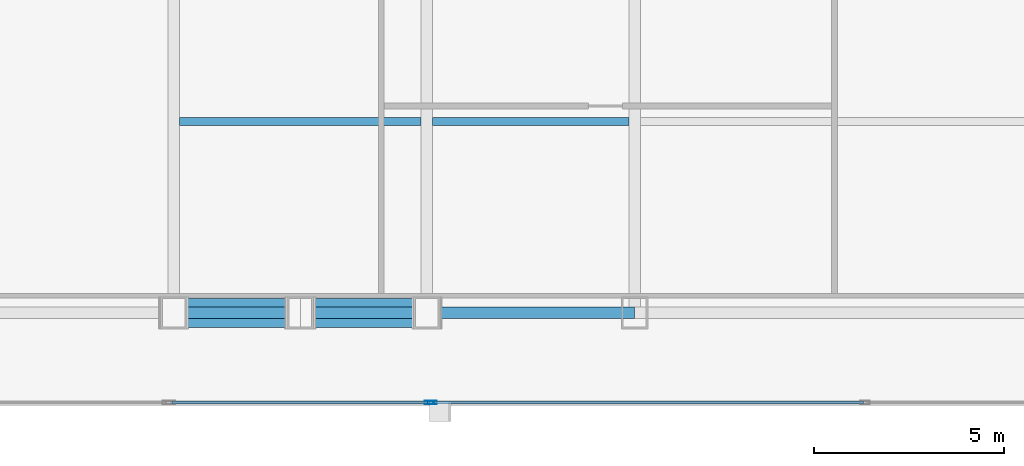
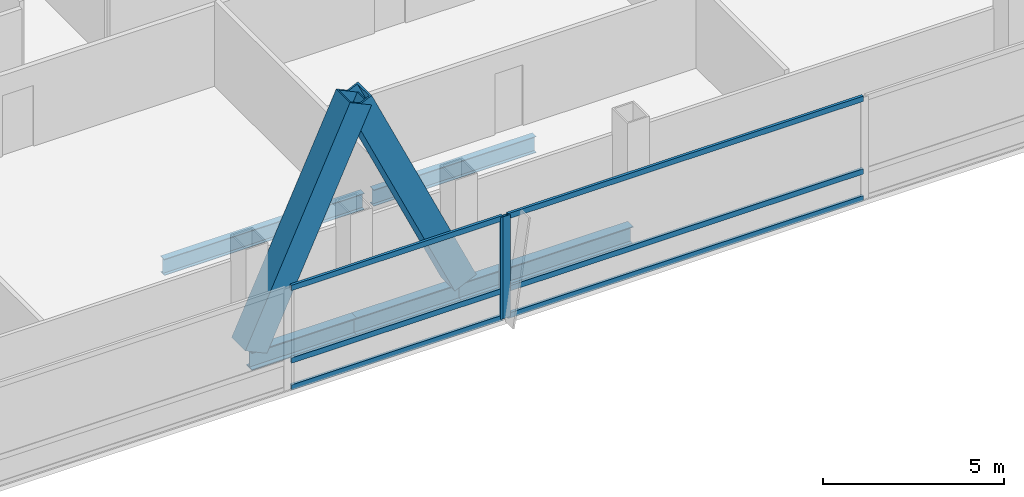
# One storey, part 8 of 31: 10 members, 5 beams, 2 elements without a shape of their own.
"""IFC4 building model written with IfcOpenShell, lengths in metres."""

from ifc_helpers import new_model, si_unit, direction, frame, origin, origin_2d, place, context, subcontext, project, spatial, hollow_rectangle, i_section, extrude, material, material_profile, profile_set, type_object, element, aggregate, save


model = new_model("IFC4")

# Units and contexts
model_context = context("Model", 3, precision=1e-05, world=origin(), true_north=direction((0.0, 1.0)))
body_context = subcontext(model_context, "Body", "Model", "MODEL_VIEW")
ifc_project = project(units=[si_unit("LENGTHUNIT", "METRE"), si_unit("AREAUNIT", "SQUARE_METRE"), si_unit("VOLUMEUNIT", "CUBIC_METRE"), si_unit("PLANEANGLEUNIT", "RADIAN"), si_unit("MASSUNIT", "GRAM", prefix="KILO")], contexts=[model_context])

# Site, building, storey
site_placement = place(None, origin())
site = spatial("IfcSite", under=ifc_project, at=site_placement, CompositionType="ELEMENT")
building_placement = place(site_placement, origin())
building = spatial("IfcBuilding", under=site, at=building_placement, Name="Khoronbel Lancet Exchange", CompositionType="ELEMENT")
storey_placement = place(building_placement, frame((0.0, 0.0, 129.0)))
storey = spatial("IfcBuildingStorey", under=building, at=storey_placement, Name="L31", CompositionType="ELEMENT", Elevation=129.0)

# Beams
ifc_material_1 = material(Name="Steel S355", Category="steel")
ifc_material_profile_1 = material_profile(ifc_material_1, i_section(OverallWidth=0.2099609375, OverallDepth=0.550048828125, WebThickness=0.010986328125, FlangeThickness=0.01708984375, at=origin_2d()), Name="IPE 550")
ifc_profile_set_1 = profile_set([ifc_material_profile_1], Name="Steel S355")
beam_type_1 = type_object("IfcBeamType", Name="BM-BJ2", PredefinedType="JOIST", material=ifc_profile_set_1)
beam_1_placement = place(storey_placement, frame((18.375, 15.199951171875, -0.43505859375), z_axis=(1.0, 0.0, 0.0), x_axis=(0.0, 1.0, 0.0)))
element("IfcBeam", 1, at=beam_1_placement, inside=storey, type_object=beam_type_1, Name="Level L31 secondary composite joist J01", PredefinedType="JOIST", context=body_context, shape_type="SweptSolid", body=[
    extrude(i_section(OverallWidth=0.2099609375, OverallDepth=0.550048828125, WebThickness=0.010986328125, FlangeThickness=0.01708984375, at=origin_2d()), origin(), (0.0, 0.0, 1.0), 6.375),
])
beam_2_placement = place(storey_placement, frame((25.050048828125, 15.199951171875, -0.43505859375), z_axis=(1.0, 0.0, 0.0), x_axis=(0.0, 1.0, 0.0)))
element("IfcBeam", 2, at=beam_2_placement, inside=storey, type_object=beam_type_1, Name="Level L31 secondary composite joist J02", PredefinedType="JOIST", context=body_context, shape_type="SweptSolid", body=[
    extrude(i_section(OverallWidth=0.2099609375, OverallDepth=0.550048828125, WebThickness=0.010986328125, FlangeThickness=0.01708984375, at=origin_2d()), origin(), (0.0, 0.0, 1.0), 5.175048828125),
])
ifc_material_profile_2 = material_profile(ifc_material_1, i_section(OverallWidth=0.300048828125, OverallDepth=0.60009765625, WebThickness=0.015380859375, FlangeThickness=0.030029296875, at=origin_2d()), Name="HEB 600")
ifc_profile_set_2 = profile_set([ifc_material_profile_2], Name="Steel S355")
beam_type_2 = type_object("IfcBeamType", Name="BM-BSP2", PredefinedType="SPANDREL", material=ifc_profile_set_2)
for number, where, z_axis, x_axis, name in (
    (3, (18.22509765625, 10.14990234375, -0.4599609375), (1.0, 0.0, 0.0), (0.0, 1.0, 0.0), "Level L31 perimeter spandrel beam SP02"),
    (4, (21.5625, 10.14990234375, -0.4599609375), (1.0, 0.0, 0.0), (0.0, 1.0, 0.0), "Level L31 perimeter spandrel beam SP03"),
):
    element("IfcBeam", number, at=place(storey_placement, frame(where, z_axis=z_axis, x_axis=x_axis)), inside=storey, type_object=beam_type_2, Name=name, PredefinedType="SPANDREL", context=body_context, shape_type="SweptSolid", body=[
        extrude(i_section(OverallWidth=0.300048828125, OverallDepth=0.60009765625, WebThickness=0.015380859375, FlangeThickness=0.030029296875, at=origin_2d()), origin(), (0.0, 0.0, 1.0), 3.33740234375),
    ])
beam_3_placement = place(storey_placement, frame((24.89990234375, 10.14990234375, -0.4599609375), z_axis=(1.0, 0.0, 0.0), x_axis=(0.0, 1.0, 0.0)))
element("IfcBeam", 5, at=beam_3_placement, inside=storey, type_object=beam_type_2, Name="Level L31 perimeter spandrel beam SP04", PredefinedType="SPANDREL", context=body_context, shape_type="SweptSolid", body=[
    extrude(i_section(OverallWidth=0.300048828125, OverallDepth=0.60009765625, WebThickness=0.015380859375, FlangeThickness=0.030029296875, at=origin_2d()), origin(), (0.0, 0.0, 1.0), 5.47509765625),
])

# Curtain wall, member
ifc_material_2 = material(Name="Low-E Solar Control Insulating Glass", Category="glass")
curtain_wall_type = type_object("IfcCurtainWallType", Name="CW-2", PredefinedType="NOTDEFINED", material=ifc_material_2)
curtain_wall_1_placement = place(storey_placement, origin())
curtain_wall_1 = element("IfcCurtainWall", 6, at=curtain_wall_1_placement, inside=storey, type_object=curtain_wall_type, Name="Unitised curtain wall CW-L31-SWB", PredefinedType="NOTDEFINED")
ifc_material_3 = material(Name="Bronze-Anodised Aluminium 6063-T6", Category="aluminium")
ifc_material_profile_3 = material_profile(ifc_material_3, hollow_rectangle(XDim=0.0849609375, YDim=0.239990234375, WallThickness=0.006103515625, at=origin_2d()), Name="ALU MULLION 85x240")
ifc_profile_set_3 = profile_set([ifc_material_profile_3], Name="Bronze-Anodised Aluminium 6063-T6")
member_type_1 = type_object("IfcMemberType", Name="MEM-CWM1", PredefinedType="MULLION", material=ifc_profile_set_3)
member_1_placement = place(storey_placement, frame((24.95751953125, 7.7900390625, 0.0), z_axis=(0.0, 0.0, 1.0), x_axis=(0.0, 1.0, 0.0)))
member_1 = element("IfcMember", 7, at=member_1_placement, type_object=member_type_1, Name="CW2 mullion 2", PredefinedType="MULLION", context=body_context, shape_type="SweptSolid", body=[
    extrude(hollow_rectangle(XDim=0.0849609375, YDim=0.239990234375, WallThickness=0.006103515625, at=origin_2d()), origin(), (0.0, 0.0, 1.0), 3.43994140625),
])

curtain_wall_2_placement = place(storey_placement, origin())
curtain_wall_2 = element("IfcCurtainWall", 8, at=curtain_wall_2_placement, inside=storey, type_object=curtain_wall_type, Name="Unitised curtain wall CW-L31-SCV", PredefinedType="NOTDEFINED")
member_2_placement = place(storey_placement, frame((25.04248046875, 7.7900390625, 0.0), z_axis=(0.0, 0.0, 1.0), x_axis=(0.0, 1.0, 0.0)))
member_2 = element("IfcMember", 9, at=member_2_placement, type_object=member_type_1, Name="CW2 mullion 1", PredefinedType="MULLION", context=body_context, shape_type="SweptSolid", body=[
    extrude(hollow_rectangle(XDim=0.0849609375, YDim=0.239990234375, WallThickness=0.006103515625, at=origin_2d()), origin(), (0.0, 0.0, 1.0), 3.43994140625),
])

# Member
ifc_material_profile_4 = material_profile(ifc_material_3, hollow_rectangle(XDim=0.0849609375, YDim=0.179931640625, WallThickness=0.0048828125, at=origin_2d()), Name="ALU TRANSOM 85x180")
ifc_profile_set_4 = profile_set([ifc_material_profile_4], Name="Bronze-Anodised Aluminium 6063-T6")
member_type_2 = type_object("IfcMemberType", Name="MEM-CWT1", PredefinedType="USERDEFINED", material=ifc_profile_set_4)
member_3_placement = place(storey_placement, frame((18.18505859375, 7.7900390625, 0.04248046875), z_axis=(1.0, 0.0, 0.0), x_axis=(0.0, 1.0, 0.0)))
member_3 = element("IfcMember", 10, at=member_3_placement, type_object=member_type_2, Name="CW2 transom 1.1", ObjectType="TRANSOM", PredefinedType="USERDEFINED", context=body_context, shape_type="SweptSolid", body=[
    extrude(hollow_rectangle(XDim=0.0849609375, YDim=0.179931640625, WallThickness=0.0048828125, at=origin_2d()), origin(), (0.0, 0.0, 1.0), 6.72998046875),
])

member_4_placement = place(storey_placement, frame((18.18505859375, 7.7900390625, 0.949951171875), z_axis=(1.0, 0.0, 0.0), x_axis=(0.0, 1.0, 0.0)))
member_4 = element("IfcMember", 11, at=member_4_placement, type_object=member_type_2, Name="CW2 transom 1.2", ObjectType="TRANSOM", PredefinedType="USERDEFINED", context=body_context, shape_type="SweptSolid", body=[
    extrude(hollow_rectangle(XDim=0.0849609375, YDim=0.179931640625, WallThickness=0.0048828125, at=origin_2d()), origin(), (0.0, 0.0, 1.0), 6.72998046875),
])

member_5_placement = place(storey_placement, frame((18.18505859375, 7.7900390625, 3.3974609375), z_axis=(1.0, 0.0, 0.0), x_axis=(0.0, 1.0, 0.0)))
member_5 = element("IfcMember", 12, at=member_5_placement, type_object=member_type_2, Name="CW2 transom 1.3", ObjectType="TRANSOM", PredefinedType="USERDEFINED", context=body_context, shape_type="SweptSolid", body=[
    extrude(hollow_rectangle(XDim=0.0849609375, YDim=0.179931640625, WallThickness=0.0048828125, at=origin_2d()), origin(), (0.0, 0.0, 1.0), 6.72998046875),
])

aggregate(curtain_wall_1, [member_1, member_3, member_4, member_5])

member_6_placement = place(storey_placement, frame((25.0849609375, 7.7900390625, 0.04248046875), z_axis=(1.0, 0.0, 0.0), x_axis=(0.0, 1.0, 0.0)))
member_6 = element("IfcMember", 13, at=member_6_placement, type_object=member_type_2, Name="CW2 transom 1.1", ObjectType="TRANSOM", PredefinedType="USERDEFINED", context=body_context, shape_type="SweptSolid", body=[
    extrude(hollow_rectangle(XDim=0.0849609375, YDim=0.179931640625, WallThickness=0.0048828125, at=origin_2d()), origin(), (0.0, 0.0, 1.0), 11.322509765625),
])

member_7_placement = place(storey_placement, frame((25.0849609375, 7.7900390625, 0.949951171875), z_axis=(1.0, 0.0, 0.0), x_axis=(0.0, 1.0, 0.0)))
member_7 = element("IfcMember", 14, at=member_7_placement, type_object=member_type_2, Name="CW2 transom 1.2", ObjectType="TRANSOM", PredefinedType="USERDEFINED", context=body_context, shape_type="SweptSolid", body=[
    extrude(hollow_rectangle(XDim=0.0849609375, YDim=0.179931640625, WallThickness=0.0048828125, at=origin_2d()), origin(), (0.0, 0.0, 1.0), 11.322509765625),
])

member_8_placement = place(storey_placement, frame((25.0849609375, 7.7900390625, 3.3974609375), z_axis=(1.0, 0.0, 0.0), x_axis=(0.0, 1.0, 0.0)))
member_8 = element("IfcMember", 15, at=member_8_placement, type_object=member_type_2, Name="CW2 transom 1.3", ObjectType="TRANSOM", PredefinedType="USERDEFINED", context=body_context, shape_type="SweptSolid", body=[
    extrude(hollow_rectangle(XDim=0.0849609375, YDim=0.179931640625, WallThickness=0.0048828125, at=origin_2d()), origin(), (0.0, 0.0, 1.0), 11.322509765625),
])

aggregate(curtain_wall_2, [member_2, member_6, member_7, member_8])

# Members
ifc_material_4 = material(Name="Steel S460", Category="steel")
ifc_material_profile_5 = material_profile(ifc_material_4, hollow_rectangle(XDim=0.760009765625, YDim=0.760009765625, WallThickness=0.054931640625, at=origin_2d()), Name="BOX 760x760x55")
ifc_profile_set_5 = profile_set([ifc_material_profile_5], Name="Steel S460")
member_type_3 = type_object("IfcMemberType", Name="MEM-MB1", PredefinedType="BRACE", material=ifc_profile_set_5)
for number, where, z_axis, x_axis, name in (
    (16, (18.22509765625, 10.14990234375, 0.0), (0.420548106082, 0.0, 0.907270241147), (0.0, 1.0, 0.0), "Perimeter lancet brace tier 10 S-W-L"),
    (17, (24.89990234375, 10.14990234375, 0.0), (-0.420548106082, 0.0, 0.907270241147), (0.0, -1.0, 0.0), "Perimeter lancet brace tier 10 S-W-R"),
):
    element("IfcMember", number, at=place(storey_placement, frame(where, z_axis=z_axis, x_axis=x_axis)), inside=storey, type_object=member_type_3, Name=name, PredefinedType="BRACE", context=body_context, shape_type="SweptSolid", body=[
        extrude(hollow_rectangle(XDim=0.760009765625, YDim=0.760009765625, WallThickness=0.054931640625, at=origin_2d()), origin(), (0.0, 0.0, 1.0), 7.935791015625),
    ])

save(model, "model.ifc")
